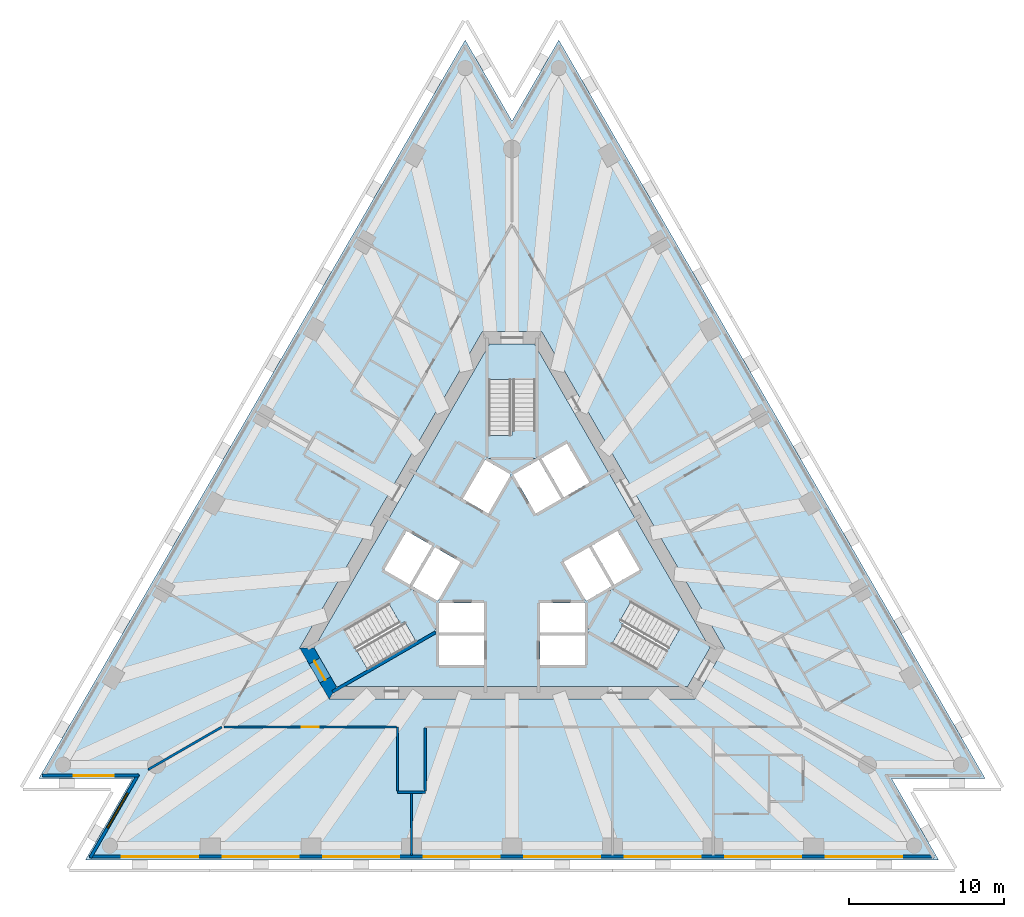
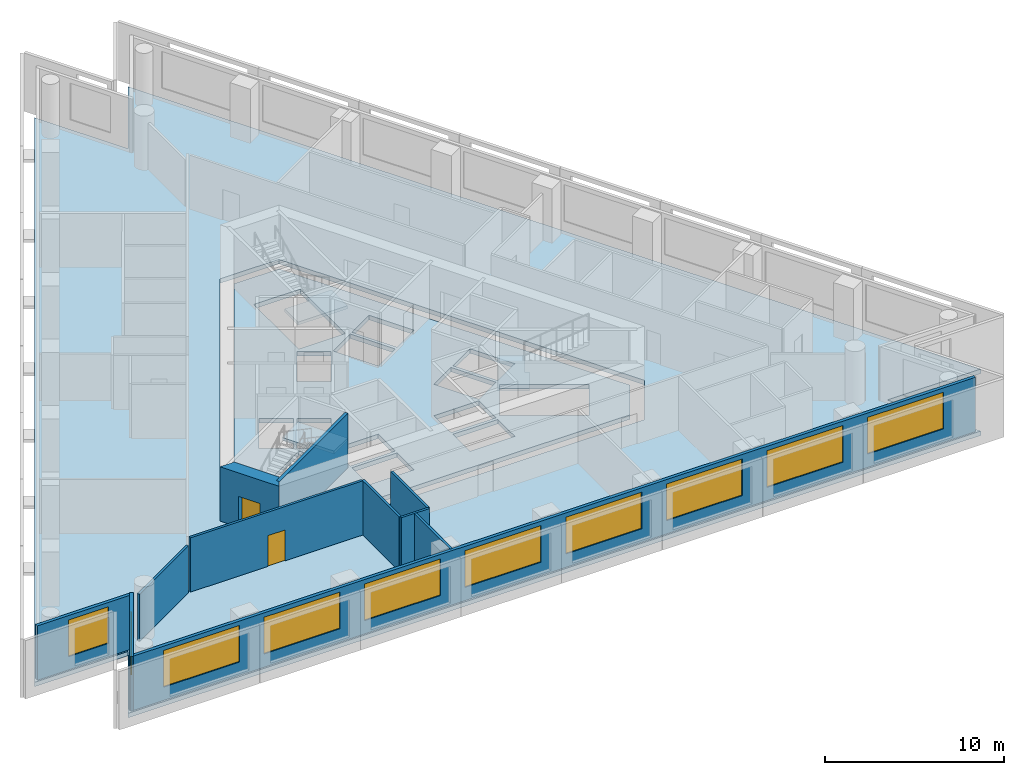
# One storey, part 2 of 9: 11 walls, 10 windows, 5 slabs, 2 doors, 12 openings, 3 elements without a shape of their own.
"""IFC4 building model written with IfcOpenShell, lengths in metres."""

import ifcopenshell
import ifcopenshell.guid

model = None  # the IFC model being written
_history = None  # IfcOwnerHistory: only IFC2X3 demands one
_inside = {}  # id of a spatial element -> (the spatial element, [elements in it])
_under = {}  # id of a project, library or spatial element -> (it, [spatial elements below it])
_declared = {}  # id of a project -> (the project, [libraries it declares])
_typed = {}  # id of a type object -> (the type object, [elements of that type])
_made_of = {}  # id of a material, layer set ... -> (it, [elements and type objects made of it])


def new_model(schema):
    """Start an empty IFC model of exactly this schema.

    Asked for "IFC4X3", IfcOpenShell would pick the latest addendum, in which some entities
    have other attributes; the version numbers below select the first issue.
    IFC2X3 requires an IfcOwnerHistory on every rooted entity: one is made here for all.
    """
    global model, _history
    if schema == "IFC4X3":
        model = ifcopenshell.file(schema_version=(4, 3, 0, 0))
    else:
        model = ifcopenshell.file(schema=schema)
    _inside.clear()
    _under.clear()
    _declared.clear()
    _typed.clear()
    _made_of.clear()
    _history = None
    if model.schema == "IFC2X3":
        org = make("IfcOrganization", Name="unknown")
        user = make(
            "IfcPersonAndOrganization",
            ThePerson=make("IfcPerson", FamilyName="unknown"),
            TheOrganization=org,
        )
        app = make(
            "IfcApplication",
            ApplicationDeveloper=org,
            Version="unknown",
            ApplicationFullName="unknown",
            ApplicationIdentifier="unknown",
        )
        _history = make(
            "IfcOwnerHistory",
            OwningUser=user,
            OwningApplication=app,
            ChangeAction="ADDED",
            CreationDate=0,
        )
    return model


def make(cls, **values):
    """One entity of the class cls with the attributes given. An attribute that is None is left unset."""
    return model.create_entity(
        cls, **{name: value for name, value in values.items() if value is not None}
    )


def rooted(cls, **values):
    """An entity with a GlobalId (a new one), such as an element, a storey or a relation."""
    return make(cls, GlobalId=ifcopenshell.guid.new(), OwnerHistory=_history, **values)


def si_unit(unit_type, name, prefix=None):
    """IfcSIUnit, for example si_unit("LENGTHUNIT", "METRE", prefix="MILLI")."""
    return make("IfcSIUnit", UnitType=unit_type, Prefix=prefix, Name=name)


def assignment(units):
    """IfcUnitAssignment: the units of a project."""
    return None if units is None else make("IfcUnitAssignment", Units=units)


def point(xyz):
    """IfcCartesianPoint."""
    return None if xyz is None else make("IfcCartesianPoint", Coordinates=xyz)


def direction(xyz):
    """IfcDirection."""
    return None if xyz is None else make("IfcDirection", DirectionRatios=xyz)


def frame(location, z_axis=None, x_axis=None):
    """IfcAxis2Placement3D, a coordinate frame: its origin and axes. An axis left out is left unset."""
    return make(
        "IfcAxis2Placement3D",
        Location=point(location),
        Axis=direction(z_axis),
        RefDirection=direction(x_axis),
    )


def frame_2d(location, x_axis=None):
    """IfcAxis2Placement2D, a coordinate frame in the plane: its origin and x axis."""
    return make(
        "IfcAxis2Placement2D", Location=point(location), RefDirection=direction(x_axis)
    )


def origin():
    """The frame at (0, 0, 0) with its axes left unset."""
    return frame((0.0, 0.0, 0.0))


def place(relative_to, where):
    """IfcLocalPlacement: puts the frame where relative to a parent placement (None: the world)."""
    return make(
        "IfcLocalPlacement", PlacementRelTo=relative_to, RelativePlacement=where
    )


def context(
    kind, dimensions, precision=None, world=None, true_north=None, identifier=None
):
    """IfcGeometricRepresentationContext, for example the 3D "Model" context."""
    return make(
        "IfcGeometricRepresentationContext",
        ContextIdentifier=identifier,
        ContextType=kind,
        CoordinateSpaceDimension=dimensions,
        Precision=precision,
        WorldCoordinateSystem=world,
        TrueNorth=true_north,
    )


def subcontext(parent, identifier, kind, view, scale=None):
    """IfcGeometricRepresentationSubContext, for example "Body" below "Model"."""
    return make(
        "IfcGeometricRepresentationSubContext",
        ContextIdentifier=identifier,
        ContextType=kind,
        ParentContext=parent,
        TargetScale=scale,
        TargetView=view,
    )


def project(units=None, contexts=None):
    """IfcProject with its units and contexts."""
    return rooted(
        "IfcProject",
        Name="project",
        RepresentationContexts=contexts,
        UnitsInContext=assignment(units),
    )


def spatial(cls, under=None, at=None, **own):
    """A site, building, storey or space (cls), placed at a placement, below another one or the project."""
    s = rooted(cls, ObjectPlacement=at, **own)
    if under is not None:
        _under.setdefault(under.id(), (under, []))[1].append(s)
    return s


def polyline(points):
    """IfcPolyline through the points."""
    return make("IfcPolyline", Points=[point(p) for p in points])


def profile(cls, at=None, kind="AREA", **sizes):
    """A parametric profile (cls). Its sizes go by their IFC names, for example OverallWidth=200.0."""
    return make(cls, ProfileType=kind, Position=at, **sizes)


def rectangle(**sizes):
    """IfcRectangleProfileDef."""
    return profile("IfcRectangleProfileDef", **sizes)


def outline(outer, holes=None, kind="AREA"):
    """IfcArbitraryClosedProfileDef: a profile drawn as a closed curve; with holes, ...WithVoids."""
    if holes is None:
        return make("IfcArbitraryClosedProfileDef", ProfileType=kind, OuterCurve=outer)
    return make(
        "IfcArbitraryProfileDefWithVoids",
        ProfileType=kind,
        OuterCurve=outer,
        InnerCurves=holes,
    )


def extrude(swept, where, along, depth):
    """IfcExtrudedAreaSolid: the profile swept, set in the frame where, extruded along a direction by depth."""
    return make(
        "IfcExtrudedAreaSolid",
        SweptArea=swept,
        Position=where,
        ExtrudedDirection=direction(along),
        Depth=depth,
    )


def shape(context_of_items, identifier, shape_type, items):
    """IfcShapeRepresentation: the items that make up one representation, for example the "Body"."""
    return make(
        "IfcShapeRepresentation",
        ContextOfItems=context_of_items,
        RepresentationIdentifier=identifier,
        RepresentationType=shape_type,
        Items=items,
    )


def material(Name=None, Category=None):
    """IfcMaterial."""
    return make("IfcMaterial", Name=Name, Category=Category)


def layer(
    of_material, thickness, ventilated=None, Name=None, Category=None, Priority=None
):
    """IfcMaterialLayer: one layer of a wall or slab, of a material (None: an air gap)."""
    return make(
        "IfcMaterialLayer",
        Material=of_material,
        LayerThickness=thickness,
        IsVentilated=ventilated,
        Name=Name,
        Category=Category,
        Priority=Priority,
    )


def layer_set(layers, Name=None):
    """IfcMaterialLayerSet."""
    return make("IfcMaterialLayerSet", MaterialLayers=layers, LayerSetName=Name)


def layer_usage(for_layer_set, set_direction, sense, offset, extent=None):
    """IfcMaterialLayerSetUsage: how a layer set lies in its element."""
    return make(
        "IfcMaterialLayerSetUsage",
        ForLayerSet=for_layer_set,
        LayerSetDirection=set_direction,
        DirectionSense=sense,
        OffsetFromReferenceLine=offset,
        ReferenceExtent=extent,
    )


def made_of(thing, what):
    """Note that an element or type object is made of a material, layer set ...; save() writes the relation."""
    if what is not None:
        _made_of.setdefault(what.id(), (what, []))[1].append(thing)
    return thing


def type_object(cls, material=None, **own):
    """A type object (cls), such as IfcWallType, which elements share."""
    return made_of(rooted(cls, **own), material)


def element(
    cls,
    number,
    at=None,
    inside=None,
    cuts=None,
    type_object=None,
    material=None,
    context=None,
    identifier="Body",
    shape_type=None,
    held_by="IfcProductDefinitionShape",
    body=None,
    shapes=None,
    **own,
):
    """One element of the class cls, such as IfcWall. Its Tag is "e" and its number.

    at: its placement. inside: the storey or other place that contains it. cuts: it is an
    opening in that element (IfcRelVoidsElement). A single representation is given by context,
    identifier, shape_type and body (its items); several are given by shapes. held_by: the class
    of the entity that holds the representations. save() writes the other relations.
    """
    e = rooted(cls, Tag="e%d" % number, ObjectPlacement=at, **own)
    if body is not None:
        shapes = [shape(context, identifier, shape_type, body)]
    if shapes is not None:
        e.Representation = make(held_by, Representations=shapes)
    if inside is not None:
        _inside.setdefault(inside.id(), (inside, []))[1].append(e)
    if cuts is not None:
        rooted(
            "IfcRelVoidsElement", RelatingBuildingElement=cuts, RelatedOpeningElement=e
        )
    if type_object is not None:
        _typed.setdefault(type_object.id(), (type_object, []))[1].append(e)
    return made_of(e, material)


def fill(opening, filler):
    """IfcRelFillsElement: the door or window that sits in an opening."""
    return rooted(
        "IfcRelFillsElement",
        RelatingOpeningElement=opening,
        RelatedBuildingElement=filler,
    )


def aggregate(whole, parts):
    """IfcRelAggregates: a whole, such as a stair, and the parts it consists of."""
    return rooted("IfcRelAggregates", RelatingObject=whole, RelatedObjects=parts)


def save(model, path):
    """Write the relations noted so far, then the file.

    IfcRelAggregates (storeys below a building ...), IfcRelContainedInSpatialStructure (elements
    in a storey), IfcRelDefinesByType, IfcRelAssociatesMaterial and IfcRelDeclares: one each for
    every whole, place, type object, material and project.
    """
    for whole, parts in _under.values():
        aggregate(whole, parts)
    for where, things in _inside.values():
        rooted(
            "IfcRelContainedInSpatialStructure",
            RelatedElements=things,
            RelatingStructure=where,
        )
    for kind, things in _typed.values():
        rooted("IfcRelDefinesByType", RelatedObjects=things, RelatingType=kind)
    for what, things in _made_of.values():
        rooted("IfcRelAssociatesMaterial", RelatedObjects=things, RelatingMaterial=what)
    for by, libraries in _declared.values():
        rooted("IfcRelDeclares", RelatingContext=by, RelatedDefinitions=libraries)
    model.write(path)


model = new_model("IFC4")

# Units and contexts
model_context = context("Model", 3, precision=1e-05, world=origin(), true_north=direction((0.0, 1.0)))
body_context = subcontext(model_context, "Body", "Model", "MODEL_VIEW")
ifc_project = project(units=[si_unit("LENGTHUNIT", "METRE"), si_unit("AREAUNIT", "SQUARE_METRE"), si_unit("VOLUMEUNIT", "CUBIC_METRE"), si_unit("PLANEANGLEUNIT", "RADIAN"), si_unit("MASSUNIT", "GRAM", prefix="KILO")], contexts=[model_context])

# Site, building, storey
site_placement = place(None, origin())
site = spatial("IfcSite", under=ifc_project, at=site_placement, CompositionType="ELEMENT")
building_placement = place(site_placement, origin())
building = spatial("IfcBuilding", under=site, at=building_placement, Name="Triada Interchange Tower", CompositionType="ELEMENT")
storey_placement = place(building_placement, frame((0.0, 0.0, 168.300048828125)))
storey = spatial("IfcBuildingStorey", under=building, at=storey_placement, Name="L39", CompositionType="ELEMENT", Elevation=168.300048828125)

# Slabs
ifc_material_1 = material(Name="Concrete C50/60", Category="concrete")
ifc_layer_1 = layer(ifc_material_1, 0.300048828125)
ifc_layer_set_1 = layer_set([ifc_layer_1], Name="Floor slab 300")
slab_type_1 = type_object("IfcSlabType", Name="Floor slab 300", PredefinedType="FLOOR", material=ifc_layer_set_1)
slab_1_placement = place(storey_placement, frame((0.0, 0.0, -0.300048828125)))
element("IfcSlab", 1, at=slab_1_placement, inside=storey, type_object=slab_type_1, Name="Floor slab L39", PredefinedType="FLOOR", context=body_context, shape_type="SweptSolid", body=[
    extrude(outline(polyline([(-3.01708984375, 33.48193359375), (-30.5048828125, -14.1279296875), (-24.470947265625, -14.1279296875), (-27.488037109375, -19.35400390625), (27.488037109375, -19.35400390625), (24.470947265625, -14.1279296875), (30.5048828125, -14.1279296875), (3.01708984375, 33.48193359375), (0.0, 28.257080078125), (-3.01708984375, 33.48193359375)]), holes=[polyline([(1.905029296875, 14.699951171875), (-1.905029296875, 14.699951171875), (-13.68310546875, -5.699951171875), (-11.778076171875, -9.0), (11.778076171875, -9.0), (13.68310546875, -5.699951171875), (1.905029296875, 14.699951171875)])]), origin(), (0.0, 0.0, 1.0), 0.300048828125),
])
slab_2_placement = place(storey_placement, frame((0.0, 0.0, -0.300048828125)))
element("IfcSlab", 2, at=slab_2_placement, inside=storey, type_object=slab_type_1, Name="Core floor slab L39 1", PredefinedType="FLOOR", context=body_context, shape_type="SweptSolid", body=[
    extrude(outline(polyline([(12.759033203125, -5.699951171875), (11.31591796875, -8.199951171875), (-11.31591796875, -8.199951171875), (-12.759033203125, -5.699951171875), (-1.443115234375, 13.89990234375), (1.443115234375, 13.89990234375), (12.759033203125, -5.699951171875)]), holes=[polyline([(9.2958984375, -7.09912109375), (10.7958984375, -4.5009765625), (6.466064453125, -2.0009765625), (4.966064453125, -4.59912109375), (9.2958984375, -7.09912109375)]), polyline([(6.7890625, 1.841064453125), (5.14404296875, 0.89111328125), (6.593994140625, -1.6201171875), (8.239013671875, -0.669921875), (6.7890625, 1.841064453125)]), polyline([(4.77490234375, -2.669921875), (6.419921875, -1.719970703125), (4.969970703125, 0.791015625), (3.9150390625, 0.181884765625), (3.324951171875, -0.158935546875), (4.77490234375, -2.669921875)]), polyline([(1.89404296875, 6.52001953125), (3.343994140625, 4.009033203125), (4.989013671875, 4.958984375), (3.5390625, 7.469970703125), (1.89404296875, 6.52001953125)]), polyline([(4.699951171875, -6.800048828125), (4.699951171875, -4.89990234375), (1.800048828125, -4.89990234375), (1.800048828125, -6.800048828125), (4.699951171875, -6.800048828125)]), polyline([(4.699951171875, -2.800048828125), (1.800048828125, -2.800048828125), (1.800048828125, -4.699951171875), (4.699951171875, -4.699951171875), (4.699951171875, -2.800048828125)]), polyline([(0.074951171875, 5.469970703125), (1.52490234375, 2.958984375), (3.169921875, 3.908935546875), (1.719970703125, 6.419921875), (0.074951171875, 5.469970703125)]), polyline([(1.5, 11.60009765625), (-1.5, 11.60009765625), (-1.5, 6.60009765625), (1.5, 6.60009765625), (1.5, 11.60009765625)]), polyline([(-1.52490234375, 2.958984375), (-0.074951171875, 5.469970703125), (-1.719970703125, 6.419921875), (-3.169921875, 3.908935546875), (-1.52490234375, 2.958984375)]), polyline([(-1.800048828125, -2.800048828125), (-4.699951171875, -2.800048828125), (-4.699951171875, -4.699951171875), (-1.800048828125, -4.699951171875), (-1.800048828125, -2.800048828125)]), polyline([(-4.699951171875, -6.800048828125), (-1.800048828125, -6.800048828125), (-1.800048828125, -4.89990234375), (-4.699951171875, -4.89990234375), (-4.699951171875, -6.800048828125)]), polyline([(-4.77490234375, -2.669921875), (-3.324951171875, -0.158935546875), (-4.969970703125, 0.791015625), (-6.419921875, -1.719970703125), (-4.77490234375, -2.669921875)]), polyline([(-10.7958984375, -4.5009765625), (-9.2958984375, -7.09912109375), (-4.966064453125, -4.59912109375), (-6.466064453125, -2.0009765625), (-10.7958984375, -4.5009765625)]), polyline([(-6.593994140625, -1.6201171875), (-5.14404296875, 0.89111328125), (-6.7890625, 1.841064453125), (-8.239013671875, -0.669921875), (-6.593994140625, -1.6201171875)])]), origin(), (0.0, 0.0, 1.0), 0.300048828125),
])

# Stair, slab
ifc_material_2 = material(Name="Concrete C35/45", Category="concrete")
stair_type = type_object("IfcStairType", Name="HALF TURN STAIR 1400", PredefinedType="HALF_TURN_STAIR", material=ifc_material_2)
stair_1_placement = place(storey_placement, origin())
stair_1 = element("IfcStair", 3, at=stair_1_placement, inside=storey, type_object=stair_type, Name="Exit stair S38-1", PredefinedType="HALF_TURN_STAIR")
ifc_layer_2 = layer(ifc_material_2, 0.199951171875)
ifc_layer_set_2 = layer_set([ifc_layer_2], Name="STAIR LANDING 200")
slab_type_2 = type_object("IfcSlabType", Name="STAIR LANDING 200", PredefinedType="LANDING", material=ifc_layer_set_2)
slab_3_placement = place(storey_placement, frame((0.0, 0.0, 1.719970703125)))
slab_3 = element("IfcSlab", 4, at=slab_3_placement, type_object=slab_type_2, Name="S38-1 landing 1", PredefinedType="LANDING", context=body_context, shape_type="SweptSolid", body=[
    extrude(outline(polyline([(1.60009765625, 6.5), (1.60009765625, 8.300048828125), (0.0, 8.300048828125), (0.0, 8.0), (-1.60009765625, 8.0), (-1.60009765625, 6.5), (1.60009765625, 6.5)])), origin(), (0.0, 0.0, 1.0), 0.199951171875),
])
aggregate(stair_1, [slab_3])

stair_2_placement = place(storey_placement, origin())
stair_2 = element("IfcStair", 5, at=stair_2_placement, inside=storey, type_object=stair_type, Name="Exit stair S38-2", PredefinedType="HALF_TURN_STAIR")
slab_4_placement = place(storey_placement, frame((0.0, 0.0, 1.719970703125)))
slab_4 = element("IfcSlab", 6, at=slab_4_placement, type_object=slab_type_2, Name="S38-2 landing 1", PredefinedType="LANDING", context=body_context, shape_type="SweptSolid", body=[
    extrude(outline(polyline([(-6.428955078125, -1.864013671875), (-7.988037109375, -2.763916015625), (-7.18798828125, -4.14990234375), (-6.927978515625, -4.0), (-6.1279296875, -5.385986328125), (-4.8291015625, -4.635986328125), (-6.428955078125, -1.864013671875)])), origin(), (0.0, 0.0, 1.0), 0.199951171875),
])
aggregate(stair_2, [slab_4])

stair_3_placement = place(storey_placement, origin())
stair_3 = element("IfcStair", 7, at=stair_3_placement, inside=storey, type_object=stair_type, Name="Exit stair S38-3", PredefinedType="HALF_TURN_STAIR")
slab_5_placement = place(storey_placement, frame((0.0, 0.0, 1.719970703125)))
slab_5 = element("IfcSlab", 8, at=slab_5_placement, type_object=slab_type_2, Name="S38-3 landing 1", PredefinedType="LANDING", context=body_context, shape_type="SweptSolid", body=[
    extrude(outline(polyline([(4.8291015625, -4.635986328125), (6.387939453125, -5.535888671875), (7.18798828125, -4.14990234375), (6.927978515625, -4.0), (7.72802734375, -2.614013671875), (6.428955078125, -1.864013671875), (4.8291015625, -4.635986328125)])), origin(), (0.0, 0.0, 1.0), 0.199951171875),
])
aggregate(stair_3, [slab_5])

# Wall
ifc_material_3 = material(Name="Concrete C30/37", Category="concrete")
ifc_layer_3 = layer(ifc_material_3, 0.199951171875)
ifc_layer_set_3 = layer_set([ifc_layer_3], Name="CORE WALL 200 REI 240")
wall_type_1 = type_object("IfcWallType", Name="CORE WALL 200 REI 240", PredefinedType="SOLIDWALL", material=ifc_layer_set_3)
wall_1_placement = place(storey_placement, frame((-11.56689453125, -8.52587890625, 0.0), z_axis=(0.0, 0.0, 1.0), x_axis=(0.866005769735, 0.50003400563, 0.0)))
element("IfcWall", 9, at=wall_1_placement, inside=storey, type_object=wall_type_1, Name="Wall L38 87", PredefinedType="SOLIDWALL", context=body_context, shape_type="SweptSolid", body=[
    extrude(rectangle(XDim=7.6650390625, YDim=0.199951171875, at=frame_2d((3.83251953125, 0.0))), origin(), (0.0, 0.0, 1.0), 3.699951171875),
])

# Wall, opening, door
ifc_material_4 = material(Name="Concrete C60/75", Category="concrete")
ifc_layer_4 = layer(ifc_material_4, 0.800048828125)
ifc_layer_set_4 = layer_set([ifc_layer_4], Name="Core wall B 800")
wall_type_2 = type_object("IfcWallType", Name="Core wall B 800", PredefinedType="SHEAR", material=ifc_layer_set_4)
wall_2_placement = place(storey_placement, frame((-13.220947265625, -5.699951171875, -0.300048828125), z_axis=(0.0, 0.0, 1.0), x_axis=(0.49987182685, -0.866099391942, 0.0)))
wall_2 = element("IfcWall", 10, at=wall_2_placement, inside=storey, type_object=wall_type_2, Name="Core wall WB03 L39", PredefinedType="SHEAR", context=body_context, shape_type="SweptSolid", body=[
    extrude(outline(polyline([(-0.23095703125, -0.39990234375), (1.674072265625, -0.39990234375), (3.5791015625, -0.39990234375), (3.117919921875, 0.39990234375), (1.67431640625, 0.39990234375), (0.23095703125, 0.39990234375), (-0.23095703125, -0.39990234375)])), origin(), (0.0, 0.0, 1.0), 4.0),
])
opening_1_placement = place(wall_2_placement, frame((0.97412109375, 0.0, 0.300048828125)))
opening_1 = element("IfcOpeningElement", 11, at=opening_1_placement, cuts=wall_2, Name="Opening D38-37", PredefinedType="OPENING", context=body_context, shape_type="SweptSolid", body=[
    extrude(rectangle(XDim=1.39990234375, YDim=2.10009765625, at=frame_2d((0.699951171875, 1.050048828125))), frame((0.0, 0.409912109375, 0.0), z_axis=(0.0, -1.0, 0.0), x_axis=(1.0, 0.0, 0.0)), (0.0, 0.0, 1.0), 0.820068359375),
])
ifc_material_5 = material(Name="Steel S235 door leaf", Category="steel")
door_type_1 = type_object("IfcDoorType", Name="STAIR DOOR 1400 EI2 90-C5S200", OperationType="DOUBLE_DOOR_SINGLE_SWING", PredefinedType="DOOR", material=ifc_material_5)
door_1_placement = place(opening_1_placement, origin())
door_1 = element("IfcDoor", 12, at=door_1_placement, inside=storey, type_object=door_type_1, Name="Door D38-37 L39", OperationType="DOUBLE_DOOR_SINGLE_SWING", OverallHeight=2.10009765625, OverallWidth=1.39990234375, PredefinedType="DOOR", context=body_context, shape_type="SweptSolid", body=[
    extrude(rectangle(XDim=1.39990234375, YDim=2.10009765625, at=frame_2d((0.699951171875, 1.050048828125))), frame((0.0, 0.02490234375, 0.0), z_axis=(0.0, -1.0, 0.0), x_axis=(1.0, 0.0, 0.0)), (0.0, 0.0, 1.0), 0.050048828125),
])
fill(opening_1, door_1)

# Wall, opening, window
ifc_material_6 = material(Name="Cement board")
ifc_layer_5 = layer(ifc_material_6, 0.02001953125, Name="Cement board cladding")
ifc_material_7 = material(Name="Sheathing board")
ifc_layer_6 = layer(ifc_material_7, 0.014892578125, Name="Sheathing board")
ifc_material_8 = material(Name="Mineral wool")
ifc_layer_7 = layer(ifc_material_8, 0.14990234375, Name="Mineral wool between steel studs")
ifc_material_9 = material(Name="Gypsum board")
ifc_layer_8 = layer(ifc_material_9, 0.014892578125, Name="Plasterboard lining")
ifc_layer_set_5 = layer_set([ifc_layer_5, ifc_layer_6, ifc_layer_7, ifc_layer_8], Name="External wall 200")
ifc_layer_usage = layer_usage(ifc_layer_set_5, "AXIS2", "POSITIVE", -0.10009765625)
wall_type_3 = type_object("IfcWallType", Name="External wall 200", PredefinedType="ELEMENTEDWALL", material=ifc_layer_set_5)
wall_3_placement = place(storey_placement, frame((-30.2490234375, -13.927978515625, 0.0), z_axis=(0.0, 0.0, 1.0), x_axis=(1.0, 0.0, 0.0)))
wall_3 = element("IfcWall", 13, at=wall_3_placement, inside=storey, type_object=wall_type_3, material=ifc_layer_usage, Name="External wall L39 SW-1", PredefinedType="ELEMENTEDWALL", context=body_context, shape_type="SweptSolid", body=[
    extrude(rectangle(XDim=6.194091796875, YDim=0.199951171875, at=frame_2d((3.09716796875, 0.0))), origin(), (0.0, 0.0, 1.0), 3.699951171875),
])
opening_2_placement = place(wall_3_placement, frame((1.989990234375, 0.0, 0.89990234375)))
opening_2 = element("IfcOpeningElement", 14, at=opening_2_placement, cuts=wall_3, Name="Opening WB09", PredefinedType="OPENING", context=body_context, shape_type="SweptSolid", body=[
    extrude(rectangle(XDim=2.60009765625, YDim=2.5, at=frame_2d((1.300048828125, 1.25))), frame((0.0, 0.10986328125, 0.0), z_axis=(0.0, -1.0, 0.0), x_axis=(1.0, 0.0, 0.0)), (0.0, 0.0, 1.0), 0.219970703125),
])
ifc_material_10 = material(Name="Double glazed aluminium window", Category="aluminium")
window_type_1 = type_object("IfcWindowType", Name="Ribbon window B pocket", PartitioningType="SINGLE_PANEL", PredefinedType="WINDOW", material=ifc_material_10)
window_1_placement = place(opening_2_placement, origin())
window_1 = element("IfcWindow", 15, at=window_1_placement, inside=storey, type_object=window_type_1, Name="Window L39 SW-1 1", OverallHeight=2.5, OverallWidth=2.60009765625, PartitioningType="SINGLE_PANEL", PredefinedType="WINDOW", context=body_context, shape_type="SweptSolid", body=[
    extrude(rectangle(XDim=2.60009765625, YDim=2.5, at=frame_2d((1.300048828125, 1.25))), frame((0.0, 0.030029296875, 0.0), z_axis=(0.0, -1.0, 0.0), x_axis=(1.0, 0.0, 0.0)), (0.0, 0.0, 1.0), 0.06005859375),
])
fill(opening_2, window_1)

wall_4_placement = place(storey_placement, frame((-24.080078125, -13.85009765625, 0.0), z_axis=(0.0, 0.0, 1.0), x_axis=(-0.499932836684, -0.86606417707, 0.0)))
wall_4 = element("IfcWall", 16, at=wall_4_placement, inside=storey, type_object=wall_type_3, material=ifc_layer_usage, Name="External wall L39 SW-2", PredefinedType="ELEMENTEDWALL", context=body_context, shape_type="SweptSolid", body=[
    extrude(rectangle(XDim=6.194580078125, YDim=0.199951171875, at=frame_2d((3.09716796875, 0.0))), origin(), (0.0, 0.0, 1.0), 3.699951171875),
])
opening_3_placement = place(wall_4_placement, frame((1.389892578125, 0.0, 0.89990234375)))
opening_3 = element("IfcOpeningElement", 17, at=opening_3_placement, cuts=wall_4, Name="Opening WB10", PredefinedType="OPENING", context=body_context, shape_type="SweptSolid", body=[
    extrude(rectangle(XDim=2.60009765625, YDim=2.5, at=frame_2d((1.300048828125, 1.25))), frame((0.0, 0.10986328125, 0.0), z_axis=(0.0, -1.0, 0.0), x_axis=(1.0, 0.0, 0.0)), (0.0, 0.0, 1.0), 0.219970703125),
])
window_2_placement = place(opening_3_placement, origin())
window_2 = element("IfcWindow", 18, at=window_2_placement, inside=storey, type_object=window_type_1, Name="Window L39 SW-2 1", OverallHeight=2.5, OverallWidth=2.60009765625, PartitioningType="SINGLE_PANEL", PredefinedType="WINDOW", context=body_context, shape_type="SweptSolid", body=[
    extrude(rectangle(XDim=2.60009765625, YDim=2.5, at=frame_2d((1.300048828125, 1.25))), frame((0.0, 0.030029296875, 0.0), z_axis=(0.0, -1.0, 0.0), x_axis=(1.0, 0.0, 0.0)), (0.0, 0.0, 1.0), 0.06005859375),
])
fill(opening_3, window_2)

# Wall, openings, windows
wall_5_placement = place(storey_placement, frame((-27.23193359375, -19.154052734375, 0.0), z_axis=(0.0, 0.0, 1.0), x_axis=(1.0, 0.0, 0.0)))
wall_5 = element("IfcWall", 19, at=wall_5_placement, inside=storey, type_object=wall_type_3, material=ifc_layer_usage, Name="External wall L39 S", PredefinedType="ELEMENTEDWALL", context=body_context, shape_type="SweptSolid", body=[
    extrude(rectangle(XDim=54.44384765625, YDim=0.199951171875, at=frame_2d((27.221923828125, 0.0))), origin(), (0.0, 0.0, 1.0), 3.699951171875),
])
opening_4_placement = place(wall_5_placement, frame((2.093994140625, 0.0, 0.89990234375)))
opening_4 = element("IfcOpeningElement", 20, at=opening_4_placement, cuts=wall_5, Name="Opening WB11", PredefinedType="OPENING", context=body_context, shape_type="SweptSolid", body=[
    extrude(rectangle(XDim=4.89990234375, YDim=2.5, at=frame_2d((2.449951171875, 1.25))), frame((0.0, 0.10986328125, 0.0), z_axis=(0.0, -1.0, 0.0), x_axis=(1.0, 0.0, 0.0)), (0.0, 0.0, 1.0), 0.219970703125),
])
opening_5_placement = place(wall_5_placement, frame((8.575927734375, 0.0, 0.89990234375)))
opening_5 = element("IfcOpeningElement", 21, at=opening_5_placement, cuts=wall_5, Name="Opening WB12", PredefinedType="OPENING", context=body_context, shape_type="SweptSolid", body=[
    extrude(rectangle(XDim=4.89990234375, YDim=2.5, at=frame_2d((2.449951171875, 1.25))), frame((0.0, 0.10986328125, 0.0), z_axis=(0.0, -1.0, 0.0), x_axis=(1.0, 0.0, 0.0)), (0.0, 0.0, 1.0), 0.219970703125),
])
opening_6_placement = place(wall_5_placement, frame((15.05908203125, 0.0, 0.89990234375)))
opening_6 = element("IfcOpeningElement", 22, at=opening_6_placement, cuts=wall_5, Name="Opening WB13", PredefinedType="OPENING", context=body_context, shape_type="SweptSolid", body=[
    extrude(rectangle(XDim=4.89990234375, YDim=2.5, at=frame_2d((2.449951171875, 1.25))), frame((0.0, 0.10986328125, 0.0), z_axis=(0.0, -1.0, 0.0), x_axis=(1.0, 0.0, 0.0)), (0.0, 0.0, 1.0), 0.219970703125),
])
opening_7_placement = place(wall_5_placement, frame((21.541015625, 0.0, 0.89990234375)))
opening_7 = element("IfcOpeningElement", 23, at=opening_7_placement, cuts=wall_5, Name="Opening WB14", PredefinedType="OPENING", context=body_context, shape_type="SweptSolid", body=[
    extrude(rectangle(XDim=4.89990234375, YDim=2.5, at=frame_2d((2.449951171875, 1.25))), frame((0.0, 0.10986328125, 0.0), z_axis=(0.0, -1.0, 0.0), x_axis=(1.0, 0.0, 0.0)), (0.0, 0.0, 1.0), 0.219970703125),
])
opening_8_placement = place(wall_5_placement, frame((28.02294921875, 0.0, 0.89990234375)))
opening_8 = element("IfcOpeningElement", 24, at=opening_8_placement, cuts=wall_5, Name="Opening WB15", PredefinedType="OPENING", context=body_context, shape_type="SweptSolid", body=[
    extrude(rectangle(XDim=4.89990234375, YDim=2.5, at=frame_2d((2.449951171875, 1.25))), frame((0.0, 0.10986328125, 0.0), z_axis=(0.0, -1.0, 0.0), x_axis=(1.0, 0.0, 0.0)), (0.0, 0.0, 1.0), 0.219970703125),
])
opening_9_placement = place(wall_5_placement, frame((34.5048828125, 0.0, 0.89990234375)))
opening_9 = element("IfcOpeningElement", 25, at=opening_9_placement, cuts=wall_5, Name="Opening WB16", PredefinedType="OPENING", context=body_context, shape_type="SweptSolid", body=[
    extrude(rectangle(XDim=4.89990234375, YDim=2.5, at=frame_2d((2.449951171875, 1.25))), frame((0.0, 0.10986328125, 0.0), z_axis=(0.0, -1.0, 0.0), x_axis=(1.0, 0.0, 0.0)), (0.0, 0.0, 1.0), 0.219970703125),
])
opening_10_placement = place(wall_5_placement, frame((40.988037109375, 0.0, 0.89990234375)))
opening_10 = element("IfcOpeningElement", 26, at=opening_10_placement, cuts=wall_5, Name="Opening WB17", PredefinedType="OPENING", context=body_context, shape_type="SweptSolid", body=[
    extrude(rectangle(XDim=4.89990234375, YDim=2.5, at=frame_2d((2.449951171875, 1.25))), frame((0.0, 0.10986328125, 0.0), z_axis=(0.0, -1.0, 0.0), x_axis=(1.0, 0.0, 0.0)), (0.0, 0.0, 1.0), 0.219970703125),
])
opening_11_placement = place(wall_5_placement, frame((47.469970703125, 0.0, 0.89990234375)))
opening_11 = element("IfcOpeningElement", 27, at=opening_11_placement, cuts=wall_5, Name="Opening WB18", PredefinedType="OPENING", context=body_context, shape_type="SweptSolid", body=[
    extrude(rectangle(XDim=4.89990234375, YDim=2.5, at=frame_2d((2.449951171875, 1.25))), frame((0.0, 0.10986328125, 0.0), z_axis=(0.0, -1.0, 0.0), x_axis=(1.0, 0.0, 0.0)), (0.0, 0.0, 1.0), 0.219970703125),
])
window_type_2 = type_object("IfcWindowType", Name="Ribbon window B face", PartitioningType="SINGLE_PANEL", PredefinedType="WINDOW", material=ifc_material_10)
window_3_placement = place(opening_4_placement, origin())
window_3 = element("IfcWindow", 28, at=window_3_placement, inside=storey, type_object=window_type_2, Name="Window L39 S 1", OverallHeight=2.5, OverallWidth=4.89990234375, PartitioningType="SINGLE_PANEL", PredefinedType="WINDOW", context=body_context, shape_type="SweptSolid", body=[
    extrude(rectangle(XDim=4.89990234375, YDim=2.5, at=frame_2d((2.449951171875, 1.25))), frame((0.0, 0.030029296875, 0.0), z_axis=(0.0, -1.0, 0.0), x_axis=(1.0, 0.0, 0.0)), (0.0, 0.0, 1.0), 0.06005859375),
])
fill(opening_4, window_3)
window_4_placement = place(opening_5_placement, origin())
window_4 = element("IfcWindow", 29, at=window_4_placement, inside=storey, type_object=window_type_2, Name="Window L39 S 2", OverallHeight=2.5, OverallWidth=4.89990234375, PartitioningType="SINGLE_PANEL", PredefinedType="WINDOW", context=body_context, shape_type="SweptSolid", body=[
    extrude(rectangle(XDim=4.89990234375, YDim=2.5, at=frame_2d((2.449951171875, 1.25))), frame((0.0, 0.030029296875, 0.0), z_axis=(0.0, -1.0, 0.0), x_axis=(1.0, 0.0, 0.0)), (0.0, 0.0, 1.0), 0.06005859375),
])
fill(opening_5, window_4)
window_5_placement = place(opening_6_placement, origin())
window_5 = element("IfcWindow", 30, at=window_5_placement, inside=storey, type_object=window_type_2, Name="Window L39 S 3", OverallHeight=2.5, OverallWidth=4.89990234375, PartitioningType="SINGLE_PANEL", PredefinedType="WINDOW", context=body_context, shape_type="SweptSolid", body=[
    extrude(rectangle(XDim=4.89990234375, YDim=2.5, at=frame_2d((2.449951171875, 1.25))), frame((0.0, 0.030029296875, 0.0), z_axis=(0.0, -1.0, 0.0), x_axis=(1.0, 0.0, 0.0)), (0.0, 0.0, 1.0), 0.06005859375),
])
fill(opening_6, window_5)
window_6_placement = place(opening_7_placement, origin())
window_6 = element("IfcWindow", 31, at=window_6_placement, inside=storey, type_object=window_type_2, Name="Window L39 S 4", OverallHeight=2.5, OverallWidth=4.89990234375, PartitioningType="SINGLE_PANEL", PredefinedType="WINDOW", context=body_context, shape_type="SweptSolid", body=[
    extrude(rectangle(XDim=4.89990234375, YDim=2.5, at=frame_2d((2.449951171875, 1.25))), frame((0.0, 0.030029296875, 0.0), z_axis=(0.0, -1.0, 0.0), x_axis=(1.0, 0.0, 0.0)), (0.0, 0.0, 1.0), 0.06005859375),
])
fill(opening_7, window_6)
window_7_placement = place(opening_8_placement, origin())
window_7 = element("IfcWindow", 32, at=window_7_placement, inside=storey, type_object=window_type_2, Name="Window L39 S 5", OverallHeight=2.5, OverallWidth=4.89990234375, PartitioningType="SINGLE_PANEL", PredefinedType="WINDOW", context=body_context, shape_type="SweptSolid", body=[
    extrude(rectangle(XDim=4.89990234375, YDim=2.5, at=frame_2d((2.449951171875, 1.25))), frame((0.0, 0.030029296875, 0.0), z_axis=(0.0, -1.0, 0.0), x_axis=(1.0, 0.0, 0.0)), (0.0, 0.0, 1.0), 0.06005859375),
])
fill(opening_8, window_7)
window_8_placement = place(opening_9_placement, origin())
window_8 = element("IfcWindow", 33, at=window_8_placement, inside=storey, type_object=window_type_2, Name="Window L39 S 6", OverallHeight=2.5, OverallWidth=4.89990234375, PartitioningType="SINGLE_PANEL", PredefinedType="WINDOW", context=body_context, shape_type="SweptSolid", body=[
    extrude(rectangle(XDim=4.89990234375, YDim=2.5, at=frame_2d((2.449951171875, 1.25))), frame((0.0, 0.030029296875, 0.0), z_axis=(0.0, -1.0, 0.0), x_axis=(1.0, 0.0, 0.0)), (0.0, 0.0, 1.0), 0.06005859375),
])
fill(opening_9, window_8)
window_9_placement = place(opening_10_placement, origin())
window_9 = element("IfcWindow", 34, at=window_9_placement, inside=storey, type_object=window_type_2, Name="Window L39 S 7", OverallHeight=2.5, OverallWidth=4.89990234375, PartitioningType="SINGLE_PANEL", PredefinedType="WINDOW", context=body_context, shape_type="SweptSolid", body=[
    extrude(rectangle(XDim=4.89990234375, YDim=2.5, at=frame_2d((2.449951171875, 1.25))), frame((0.0, 0.030029296875, 0.0), z_axis=(0.0, -1.0, 0.0), x_axis=(1.0, 0.0, 0.0)), (0.0, 0.0, 1.0), 0.06005859375),
])
fill(opening_10, window_9)
window_10_placement = place(opening_11_placement, origin())
window_10 = element("IfcWindow", 35, at=window_10_placement, inside=storey, type_object=window_type_2, Name="Window L39 S 8", OverallHeight=2.5, OverallWidth=4.89990234375, PartitioningType="SINGLE_PANEL", PredefinedType="WINDOW", context=body_context, shape_type="SweptSolid", body=[
    extrude(rectangle(XDim=4.89990234375, YDim=2.5, at=frame_2d((2.449951171875, 1.25))), frame((0.0, 0.030029296875, 0.0), z_axis=(0.0, -1.0, 0.0), x_axis=(1.0, 0.0, 0.0)), (0.0, 0.0, 1.0), 0.06005859375),
])
fill(opening_11, window_10)

# Walls
ifc_material_11 = material(Name="Gypsum board partition")
ifc_layer_9 = layer(ifc_material_11, 0.14990234375)
ifc_layer_set_6 = layer_set([ifc_layer_9], Name="PARTITION 150 EI 180")
wall_type_4 = type_object("IfcWallType", Name="PARTITION 150 EI 180", PredefinedType="PARTITIONING", material=ifc_layer_set_6)
wall_6_placement = place(storey_placement, frame((-23.448974609375, -13.5380859375, 0.0), z_axis=(0.0, 0.0, 1.0), x_axis=(0.865971038555, 0.500094151519, 0.0)))
element("IfcWall", 36, at=wall_6_placement, inside=storey, type_object=wall_type_4, Name="Wall L38 1", PredefinedType="PARTITIONING", context=body_context, shape_type="SweptSolid", body=[
    extrude(rectangle(XDim=5.47705078125, YDim=0.14990234375, at=frame_2d((2.738525390625, 0.0))), origin(), (0.0, 0.0, 1.0), 3.199951171875),
])
wall_7_placement = place(storey_placement, frame((-7.382080078125, -15.0, 0.0), z_axis=(0.0, 0.0, 1.0), x_axis=(1.0, 0.0, 0.0)))
element("IfcWall", 37, at=wall_7_placement, inside=storey, type_object=wall_type_4, Name="Wall L38 4", PredefinedType="PARTITIONING", context=body_context, shape_type="SweptSolid", body=[
    extrude(rectangle(XDim=1.800048828125, YDim=0.14990234375, at=frame_2d((0.89990234375, 0.0))), origin(), (0.0, 0.0, 1.0), 3.699951171875),
])
wall_8_placement = place(storey_placement, frame((-7.382080078125, -14.925048828125, 0.0), z_axis=(0.0, 0.0, 1.0), x_axis=(0.0, 1.0, 0.0)))
element("IfcWall", 38, at=wall_8_placement, inside=storey, type_object=wall_type_4, Name="Wall L38 5", PredefinedType="PARTITIONING", context=body_context, shape_type="SweptSolid", body=[
    extrude(rectangle(XDim=4.1240234375, YDim=0.14990234375, at=frame_2d((2.06201171875, 0.0))), origin(), (0.0, 0.0, 1.0), 3.699951171875),
])

# Wall, opening, door
wall_9_placement = place(storey_placement, frame((-18.555908203125, -10.800048828125, 0.0), z_axis=(0.0, 0.0, 1.0), x_axis=(1.0, 0.0, 0.0)))
wall_9 = element("IfcWall", 39, at=wall_9_placement, inside=storey, type_object=wall_type_4, Name="Wall L38 6", PredefinedType="PARTITIONING", context=body_context, shape_type="SweptSolid", body=[
    extrude(rectangle(XDim=11.097900390625, YDim=0.14990234375, at=frame_2d((5.548828125, 0.0))), origin(), (0.0, 0.0, 1.0), 3.699951171875),
])
opening_12_placement = place(wall_9_placement, frame((5.0, 0.0, 0.0)))
opening_12 = element("IfcOpeningElement", 40, at=opening_12_placement, cuts=wall_9, Name="Opening D38-11", PredefinedType="OPENING", context=body_context, shape_type="SweptSolid", body=[
    extrude(rectangle(XDim=1.10009765625, YDim=2.10009765625, at=frame_2d((0.550048828125, 1.050048828125))), frame((0.0, 0.0849609375, 0.0), z_axis=(0.0, -1.0, 0.0), x_axis=(1.0, 0.0, 0.0)), (0.0, 0.0, 1.0), 0.169921875),
])
door_type_2 = type_object("IfcDoorType", Name="TENANCY ENTRANCE DOOR 1100 EI2 90-C5S200", OperationType="NOTDEFINED", PredefinedType="DOOR", material=ifc_material_5)
door_2_placement = place(opening_12_placement, origin())
door_2 = element("IfcDoor", 41, at=door_2_placement, inside=storey, type_object=door_type_2, Name="Door D38-11 L39", OperationType="SINGLE_SWING_RIGHT", OverallHeight=2.10009765625, OverallWidth=1.10009765625, PredefinedType="DOOR", context=body_context, shape_type="SweptSolid", body=[
    extrude(rectangle(XDim=1.10009765625, YDim=2.10009765625, at=frame_2d((0.550048828125, 1.050048828125))), frame((0.0, 0.02490234375, 0.0), z_axis=(0.0, -1.0, 0.0), x_axis=(1.0, 0.0, 0.0)), (0.0, 0.0, 1.0), 0.050048828125),
])
fill(opening_12, door_2)

# Walls
wall_10_placement = place(storey_placement, frame((-6.48193359375, -19.073974609375, 0.0), z_axis=(0.0, 0.0, 1.0), x_axis=(0.0, 1.0, 0.0)))
element("IfcWall", 42, at=wall_10_placement, inside=storey, type_object=wall_type_4, Name="Wall L38 22", PredefinedType="PARTITIONING", context=body_context, shape_type="SweptSolid", body=[
    extrude(rectangle(XDim=3.9990234375, YDim=0.14990234375, at=frame_2d((1.99951171875, 0.0))), origin(), (0.0, 0.0, 1.0), 3.699951171875),
])
wall_11_placement = place(storey_placement, frame((-5.58203125, -14.925048828125, 0.0), z_axis=(0.0, 0.0, 1.0), x_axis=(0.0, 1.0, 0.0)))
element("IfcWall", 43, at=wall_11_placement, inside=storey, type_object=wall_type_4, Name="Wall L38 23", PredefinedType="PARTITIONING", context=body_context, shape_type="SweptSolid", body=[
    extrude(rectangle(XDim=4.049072265625, YDim=0.14990234375, at=frame_2d((2.0244140625, 0.0))), origin(), (0.0, 0.0, 1.0), 3.699951171875),
])

save(model, "model.ifc")
